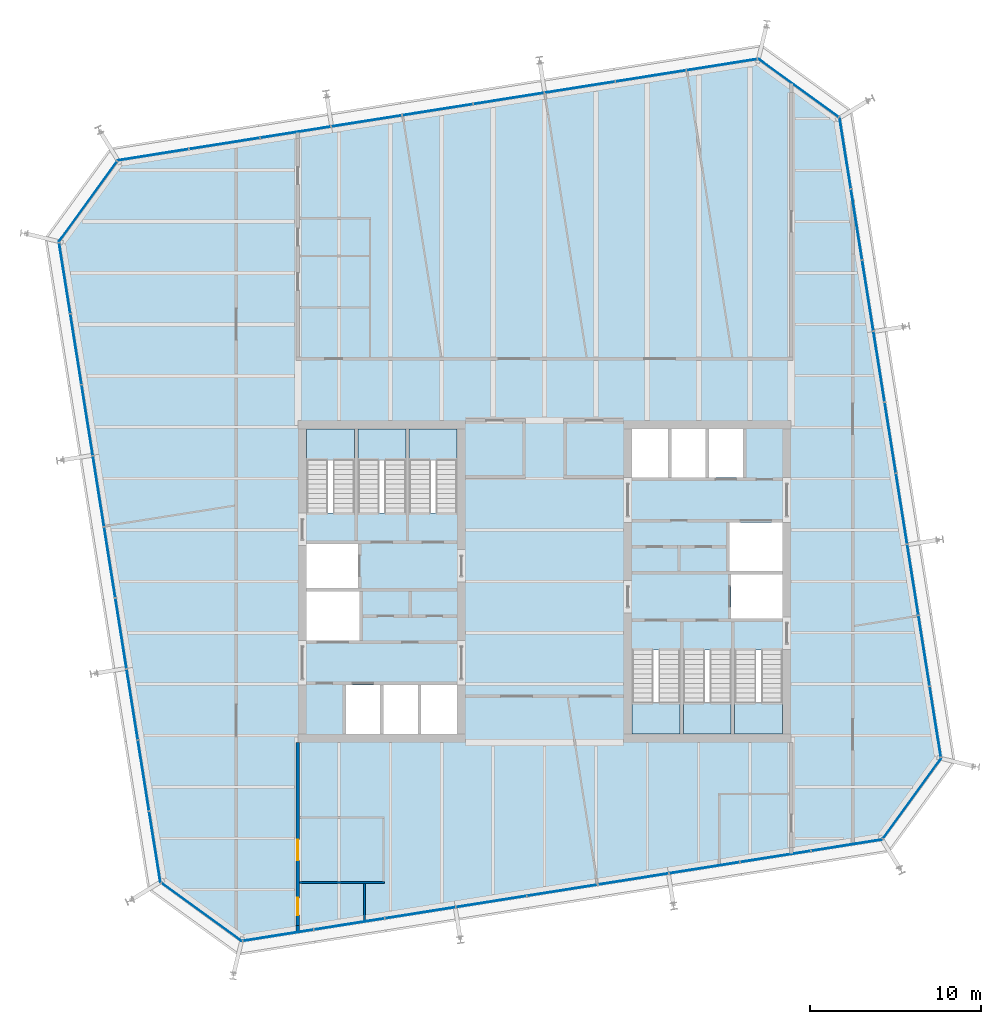
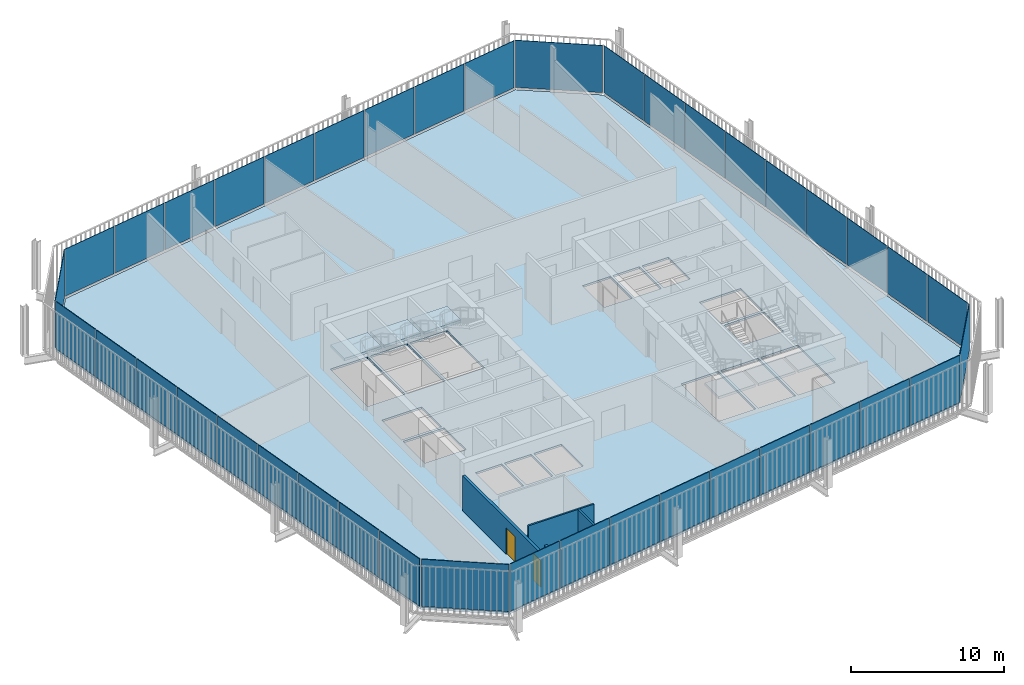
# One storey, part 15 of 20: 40 plates, 7 slabs, 4 walls, 2 doors, 2 openings, 14 elements without a shape of their own.
"""IFC4 building model written with IfcOpenShell, lengths in metres."""

from ifc_helpers import new_model, si_unit, direction, frame, frame_2d, origin, place, context, subcontext, project, spatial, polyline, rectangle, outline, extrude, material, layer, layer_set, type_object, element, fill, aggregate, save


model = new_model("IFC4")

# Units and contexts
model_context = context("Model", 3, precision=1e-05, world=origin(), true_north=direction((0.0, 1.0)))
body_context = subcontext(model_context, "Body", "Model", "MODEL_VIEW")
ifc_project = project(units=[si_unit("LENGTHUNIT", "METRE"), si_unit("AREAUNIT", "SQUARE_METRE"), si_unit("VOLUMEUNIT", "CUBIC_METRE"), si_unit("PLANEANGLEUNIT", "RADIAN"), si_unit("MASSUNIT", "GRAM", prefix="KILO")], contexts=[model_context])

# Site, building, storey
site_placement = place(None, origin())
site = spatial("IfcSite", under=ifc_project, at=site_placement, CompositionType="ELEMENT")
building_placement = place(site_placement, origin())
building = spatial("IfcBuilding", under=site, at=building_placement, Name="Millrace Tower", CompositionType="ELEMENT")
storey_placement = place(building_placement, frame((0.0, 0.0, 216.39990234375)))
storey = spatial("IfcBuildingStorey", under=building, at=storey_placement, Name="L49", CompositionType="ELEMENT", Elevation=216.39990234375)

# Curtain wall, plate
ifc_material_1 = material(Name="Aluminium and glass", Category="aluminium")
ifc_layer_1 = layer(ifc_material_1, 0.14990234375)
ifc_layer_set_1 = layer_set([ifc_layer_1], Name="Aluminium and glass")
curtain_wall_type = type_object("IfcCurtainWallType", Name="CW-1 office vision curtain wall", PredefinedType="NOTDEFINED", material=ifc_layer_set_1)
placement_1 = place(storey_placement, origin())
curtain_wall_1 = element("IfcCurtainWall", 1, at=placement_1, inside=storey, type_object=curtain_wall_type, Name="Curtain wall D-F01 L49", PredefinedType="NOTDEFINED")
ifc_material_2 = material(Name="Glass", Category="glass")
ifc_layer_2 = layer(ifc_material_2, 0.0439453125)
ifc_layer_set_2 = layer_set([ifc_layer_2], Name="Glass")
plate_type = type_object("IfcPlateType", Name="CW-1 office vision curtain wall triple-glazed vision panel", PredefinedType="CURTAIN_PANEL", material=ifc_layer_set_2)
placement_2 = place(storey_placement, frame((0.0, 0.0, 0.14013671875)))
plate_1 = element("IfcPlate", 2, at=placement_2, type_object=plate_type, Name="CW1 panel D-F01.1", PredefinedType="CURTAIN_PANEL", context=body_context, shape_type="SweptSolid", body=[
    extrude(outline(polyline([(-22.36474609375, -17.632080078125), (-17.69384765625, -21.025634765625), (-17.6826171875, -20.979248046875), (-22.3388671875, -17.596435546875), (-22.36474609375, -17.632080078125)])), origin(), (0.0, 0.0, 1.0), 3.760009765625),
])
aggregate(curtain_wall_1, [plate_1])

# Curtain wall, plates
curtain_wall_2 = element("IfcCurtainWall", 3, at=placement_1, inside=storey, type_object=curtain_wall_type, Name="Curtain wall D-F02 L49", PredefinedType="NOTDEFINED")
plate_2 = element("IfcPlate", 4, at=placement_2, type_object=plate_type, Name="CW1 panel D-F02.1", PredefinedType="CURTAIN_PANEL", context=body_context, shape_type="SweptSolid", body=[
    extrude(outline(polyline([(-17.58984375, -21.009033203125), (-13.505859375, -20.3623046875), (-13.5126953125, -20.31884765625), (-17.596923828125, -20.965576171875), (-17.58984375, -21.009033203125)])), origin(), (0.0, 0.0, 1.0), 3.760009765625),
])
plate_3 = element("IfcPlate", 5, at=placement_2, type_object=plate_type, Name="CW1 panel D-F02.2", PredefinedType="CURTAIN_PANEL", context=body_context, shape_type="SweptSolid", body=[
    extrude(outline(polyline([(-13.441650390625, -20.35205078125), (-9.357666015625, -19.705078125), (-9.364501953125, -19.66162109375), (-13.448486328125, -20.30859375), (-13.441650390625, -20.35205078125)])), origin(), (0.0, 0.0, 1.0), 3.760009765625),
])
plate_4 = element("IfcPlate", 6, at=placement_2, type_object=plate_type, Name="CW1 panel D-F02.3", PredefinedType="CURTAIN_PANEL", context=body_context, shape_type="SweptSolid", body=[
    extrude(outline(polyline([(-9.29345703125, -19.695068359375), (-5.209228515625, -19.048095703125), (-5.216064453125, -19.004638671875), (-9.30029296875, -19.651611328125), (-9.29345703125, -19.695068359375)])), origin(), (0.0, 0.0, 1.0), 3.760009765625),
])
plate_5 = element("IfcPlate", 7, at=placement_2, type_object=plate_type, Name="CW1 panel D-F02.4", PredefinedType="CURTAIN_PANEL", context=body_context, shape_type="SweptSolid", body=[
    extrude(outline(polyline([(-5.14501953125, -19.0380859375), (-1.06103515625, -18.39111328125), (-1.06787109375, -18.34765625), (-5.15185546875, -18.99462890625), (-5.14501953125, -19.0380859375)])), origin(), (0.0, 0.0, 1.0), 3.760009765625),
])
plate_6 = element("IfcPlate", 8, at=placement_2, type_object=plate_type, Name="CW1 panel D-F02.5", PredefinedType="CURTAIN_PANEL", context=body_context, shape_type="SweptSolid", body=[
    extrude(outline(polyline([(-0.996826171875, -18.380859375), (3.08740234375, -17.734130859375), (3.080322265625, -17.690673828125), (-1.003662109375, -18.33740234375), (-0.996826171875, -18.380859375)])), origin(), (0.0, 0.0, 1.0), 3.760009765625),
])
plate_7 = element("IfcPlate", 9, at=placement_2, type_object=plate_type, Name="CW1 panel D-F02.6", PredefinedType="CURTAIN_PANEL", context=body_context, shape_type="SweptSolid", body=[
    extrude(outline(polyline([(3.151611328125, -17.723876953125), (7.235595703125, -17.0771484375), (7.228759765625, -17.03369140625), (3.14453125, -17.680419921875), (3.151611328125, -17.723876953125)])), origin(), (0.0, 0.0, 1.0), 3.760009765625),
])
plate_8 = element("IfcPlate", 10, at=placement_2, type_object=plate_type, Name="CW1 panel D-F02.7", PredefinedType="CURTAIN_PANEL", context=body_context, shape_type="SweptSolid", body=[
    extrude(outline(polyline([(7.2998046875, -17.06689453125), (11.3837890625, -16.420166015625), (11.376953125, -16.376708984375), (7.29296875, -17.0234375), (7.2998046875, -17.06689453125)])), origin(), (0.0, 0.0, 1.0), 3.760009765625),
])
plate_9 = element("IfcPlate", 11, at=placement_2, type_object=plate_type, Name="CW1 panel D-F02.8", PredefinedType="CURTAIN_PANEL", context=body_context, shape_type="SweptSolid", body=[
    extrude(outline(polyline([(11.447998046875, -16.409912109375), (15.5322265625, -15.762939453125), (15.525390625, -15.719482421875), (11.441162109375, -16.366455078125), (11.447998046875, -16.409912109375)])), origin(), (0.0, 0.0, 1.0), 3.760009765625),
])
plate_10 = element("IfcPlate", 12, at=placement_2, type_object=plate_type, Name="CW1 panel D-F02.9", PredefinedType="CURTAIN_PANEL", context=body_context, shape_type="SweptSolid", body=[
    extrude(outline(polyline([(15.596435546875, -15.7529296875), (19.72021484375, -15.099853515625), (19.6953125, -15.05908203125), (15.589599609375, -15.70947265625), (15.596435546875, -15.7529296875)])), origin(), (0.0, 0.0, 1.0), 3.760009765625),
])
aggregate(curtain_wall_2, [plate_2, plate_3, plate_4, plate_5, plate_6, plate_7, plate_8, plate_9, plate_10])

# Curtain wall, plate
curtain_wall_3 = element("IfcCurtainWall", 13, at=placement_1, inside=storey, type_object=curtain_wall_type, Name="Curtain wall D-F03 L49", PredefinedType="NOTDEFINED")
plate_11 = element("IfcPlate", 14, at=placement_2, type_object=plate_type, Name="CW1 panel D-F03.1", PredefinedType="CURTAIN_PANEL", context=body_context, shape_type="SweptSolid", body=[
    extrude(outline(polyline([(19.781982421875, -15.0146484375), (23.175537109375, -10.34375), (23.129150390625, -10.332763671875), (19.746337890625, -14.98876953125), (19.781982421875, -15.0146484375)])), origin(), (0.0, 0.0, 1.0), 3.760009765625),
])
aggregate(curtain_wall_3, [plate_11])

# Curtain wall, plates
curtain_wall_4 = element("IfcCurtainWall", 15, at=placement_1, inside=storey, type_object=curtain_wall_type, Name="Curtain wall D-F04 L49", PredefinedType="NOTDEFINED")
plate_12 = element("IfcPlate", 16, at=placement_2, type_object=plate_type, Name="CW1 panel D-F04.1", PredefinedType="CURTAIN_PANEL", context=body_context, shape_type="SweptSolid", body=[
    extrude(outline(polyline([(23.1591796875, -10.239990234375), (22.51220703125, -6.15576171875), (22.46875, -6.162841796875), (23.11572265625, -10.246826171875), (23.1591796875, -10.239990234375)])), origin(), (0.0, 0.0, 1.0), 3.760009765625),
])
plate_13 = element("IfcPlate", 17, at=placement_2, type_object=plate_type, Name="CW1 panel D-F04.2", PredefinedType="CURTAIN_PANEL", context=body_context, shape_type="SweptSolid", body=[
    extrude(outline(polyline([(22.501953125, -6.091552734375), (21.855224609375, -2.007568359375), (21.811767578125, -2.014404296875), (22.45849609375, -6.0986328125), (22.501953125, -6.091552734375)])), origin(), (0.0, 0.0, 1.0), 3.760009765625),
])
plate_14 = element("IfcPlate", 18, at=placement_2, type_object=plate_type, Name="CW1 panel D-F04.3", PredefinedType="CURTAIN_PANEL", context=body_context, shape_type="SweptSolid", body=[
    extrude(outline(polyline([(21.844970703125, -1.943359375), (21.1982421875, 2.140625), (21.15478515625, 2.1337890625), (21.801513671875, -1.9501953125), (21.844970703125, -1.943359375)])), origin(), (0.0, 0.0, 1.0), 3.760009765625),
])
plate_15 = element("IfcPlate", 19, at=placement_2, type_object=plate_type, Name="CW1 panel D-F04.4", PredefinedType="CURTAIN_PANEL", context=body_context, shape_type="SweptSolid", body=[
    extrude(outline(polyline([(21.18798828125, 2.204833984375), (20.541259765625, 6.2890625), (20.497802734375, 6.2822265625), (21.14453125, 2.197998046875), (21.18798828125, 2.204833984375)])), origin(), (0.0, 0.0, 1.0), 3.760009765625),
])
plate_16 = element("IfcPlate", 20, at=placement_2, type_object=plate_type, Name="CW1 panel D-F04.5", PredefinedType="CURTAIN_PANEL", context=body_context, shape_type="SweptSolid", body=[
    extrude(outline(polyline([(20.531005859375, 6.353271484375), (19.884033203125, 10.437255859375), (19.840576171875, 10.430419921875), (20.487548828125, 6.346435546875), (20.531005859375, 6.353271484375)])), origin(), (0.0, 0.0, 1.0), 3.760009765625),
])
plate_17 = element("IfcPlate", 21, at=placement_2, type_object=plate_type, Name="CW1 panel D-F04.6", PredefinedType="CURTAIN_PANEL", context=body_context, shape_type="SweptSolid", body=[
    extrude(outline(polyline([(19.8740234375, 10.50146484375), (19.22705078125, 14.585693359375), (19.18359375, 14.57861328125), (19.83056640625, 10.49462890625), (19.8740234375, 10.50146484375)])), origin(), (0.0, 0.0, 1.0), 3.760009765625),
])
plate_18 = element("IfcPlate", 22, at=placement_2, type_object=plate_type, Name="CW1 panel D-F04.7", PredefinedType="CURTAIN_PANEL", context=body_context, shape_type="SweptSolid", body=[
    extrude(outline(polyline([(19.217041015625, 14.64990234375), (18.570068359375, 18.73388671875), (18.526611328125, 18.72705078125), (19.173583984375, 14.642822265625), (19.217041015625, 14.64990234375)])), origin(), (0.0, 0.0, 1.0), 3.760009765625),
])
plate_19 = element("IfcPlate", 23, at=placement_2, type_object=plate_type, Name="CW1 panel D-F04.8", PredefinedType="CURTAIN_PANEL", context=body_context, shape_type="SweptSolid", body=[
    extrude(outline(polyline([(18.559814453125, 18.798095703125), (17.9130859375, 22.882080078125), (17.86962890625, 22.875244140625), (18.516357421875, 18.791259765625), (18.559814453125, 18.798095703125)])), origin(), (0.0, 0.0, 1.0), 3.760009765625),
])
plate_20 = element("IfcPlate", 24, at=placement_2, type_object=plate_type, Name="CW1 panel D-F04.9", PredefinedType="CURTAIN_PANEL", context=body_context, shape_type="SweptSolid", body=[
    extrude(outline(polyline([(17.90283203125, 22.9462890625), (17.249755859375, 27.070068359375), (17.209228515625, 27.045166015625), (17.859375, 22.939453125), (17.90283203125, 22.9462890625)])), origin(), (0.0, 0.0, 1.0), 3.760009765625),
])
aggregate(curtain_wall_4, [plate_12, plate_13, plate_14, plate_15, plate_16, plate_17, plate_18, plate_19, plate_20])

# Curtain wall, plate
curtain_wall_5 = element("IfcCurtainWall", 25, at=placement_1, inside=storey, type_object=curtain_wall_type, Name="Curtain wall D-F05 L49", PredefinedType="NOTDEFINED")
plate_21 = element("IfcPlate", 26, at=placement_2, type_object=plate_type, Name="CW1 panel D-F05.1", PredefinedType="CURTAIN_PANEL", context=body_context, shape_type="SweptSolid", body=[
    extrude(outline(polyline([(17.16455078125, 27.132080078125), (12.493896484375, 30.525634765625), (12.482666015625, 30.479248046875), (17.138671875, 27.096435546875), (17.16455078125, 27.132080078125)])), origin(), (0.0, 0.0, 1.0), 3.760009765625),
])
aggregate(curtain_wall_5, [plate_21])

# Curtain wall, plates
curtain_wall_6 = element("IfcCurtainWall", 27, at=placement_1, inside=storey, type_object=curtain_wall_type, Name="Curtain wall D-F06 L49", PredefinedType="NOTDEFINED")
plate_22 = element("IfcPlate", 28, at=placement_2, type_object=plate_type, Name="CW1 panel D-F06.1", PredefinedType="CURTAIN_PANEL", context=body_context, shape_type="SweptSolid", body=[
    extrude(outline(polyline([(12.389892578125, 30.509033203125), (8.305908203125, 29.8623046875), (8.312744140625, 29.81884765625), (12.396728515625, 30.465576171875), (12.389892578125, 30.509033203125)])), origin(), (0.0, 0.0, 1.0), 3.760009765625),
])
plate_23 = element("IfcPlate", 29, at=placement_2, type_object=plate_type, Name="CW1 panel D-F06.2", PredefinedType="CURTAIN_PANEL", context=body_context, shape_type="SweptSolid", body=[
    extrude(outline(polyline([(8.24169921875, 29.85205078125), (4.157470703125, 29.205078125), (4.16455078125, 29.16162109375), (8.24853515625, 29.80859375), (8.24169921875, 29.85205078125)])), origin(), (0.0, 0.0, 1.0), 3.760009765625),
])
plate_24 = element("IfcPlate", 30, at=placement_2, type_object=plate_type, Name="CW1 panel D-F06.3", PredefinedType="CURTAIN_PANEL", context=body_context, shape_type="SweptSolid", body=[
    extrude(outline(polyline([(4.09326171875, 29.195068359375), (0.00927734375, 28.548095703125), (0.01611328125, 28.504638671875), (4.100341796875, 29.151611328125), (4.09326171875, 29.195068359375)])), origin(), (0.0, 0.0, 1.0), 3.760009765625),
])
plate_25 = element("IfcPlate", 31, at=placement_2, type_object=plate_type, Name="CW1 panel D-F06.4", PredefinedType="CURTAIN_PANEL", context=body_context, shape_type="SweptSolid", body=[
    extrude(outline(polyline([(-0.054931640625, 28.5380859375), (-4.138916015625, 27.89111328125), (-4.132080078125, 27.84765625), (-0.048095703125, 28.49462890625), (-0.054931640625, 28.5380859375)])), origin(), (0.0, 0.0, 1.0), 3.760009765625),
])
plate_26 = element("IfcPlate", 32, at=placement_2, type_object=plate_type, Name="CW1 panel D-F06.5", PredefinedType="CURTAIN_PANEL", context=body_context, shape_type="SweptSolid", body=[
    extrude(outline(polyline([(-4.203125, 27.880859375), (-8.287353515625, 27.234130859375), (-8.280517578125, 27.190673828125), (-4.1962890625, 27.83740234375), (-4.203125, 27.880859375)])), origin(), (0.0, 0.0, 1.0), 3.760009765625),
])
plate_27 = element("IfcPlate", 33, at=placement_2, type_object=plate_type, Name="CW1 panel D-F06.6", PredefinedType="CURTAIN_PANEL", context=body_context, shape_type="SweptSolid", body=[
    extrude(outline(polyline([(-8.3515625, 27.223876953125), (-12.435546875, 26.5771484375), (-12.4287109375, 26.53369140625), (-8.3447265625, 27.180419921875), (-8.3515625, 27.223876953125)])), origin(), (0.0, 0.0, 1.0), 3.760009765625),
])
plate_28 = element("IfcPlate", 34, at=placement_2, type_object=plate_type, Name="CW1 panel D-F06.7", PredefinedType="CURTAIN_PANEL", context=body_context, shape_type="SweptSolid", body=[
    extrude(outline(polyline([(-12.499755859375, 26.56689453125), (-16.583984375, 25.920166015625), (-16.576904296875, 25.876708984375), (-12.492919921875, 26.5234375), (-12.499755859375, 26.56689453125)])), origin(), (0.0, 0.0, 1.0), 3.760009765625),
])
plate_29 = element("IfcPlate", 35, at=placement_2, type_object=plate_type, Name="CW1 panel D-F06.8", PredefinedType="CURTAIN_PANEL", context=body_context, shape_type="SweptSolid", body=[
    extrude(outline(polyline([(-16.648193359375, 25.909912109375), (-20.732177734375, 25.262939453125), (-20.725341796875, 25.219482421875), (-16.64111328125, 25.866455078125), (-16.648193359375, 25.909912109375)])), origin(), (0.0, 0.0, 1.0), 3.760009765625),
])
plate_30 = element("IfcPlate", 36, at=placement_2, type_object=plate_type, Name="CW1 panel D-F06.9", PredefinedType="CURTAIN_PANEL", context=body_context, shape_type="SweptSolid", body=[
    extrude(outline(polyline([(-20.79638671875, 25.2529296875), (-24.920166015625, 24.599853515625), (-24.895263671875, 24.55908203125), (-20.78955078125, 25.20947265625), (-20.79638671875, 25.2529296875)])), origin(), (0.0, 0.0, 1.0), 3.760009765625),
])
aggregate(curtain_wall_6, [plate_22, plate_23, plate_24, plate_25, plate_26, plate_27, plate_28, plate_29, plate_30])

# Curtain wall, plate
curtain_wall_7 = element("IfcCurtainWall", 37, at=placement_1, inside=storey, type_object=curtain_wall_type, Name="Curtain wall D-F07 L49", PredefinedType="NOTDEFINED")
plate_31 = element("IfcPlate", 38, at=placement_2, type_object=plate_type, Name="CW1 panel D-F07.1", PredefinedType="CURTAIN_PANEL", context=body_context, shape_type="SweptSolid", body=[
    extrude(outline(polyline([(-24.98193359375, 24.5146484375), (-28.37548828125, 19.84375), (-28.329345703125, 19.832763671875), (-24.9462890625, 24.48876953125), (-24.98193359375, 24.5146484375)])), origin(), (0.0, 0.0, 1.0), 3.760009765625),
])
aggregate(curtain_wall_7, [plate_31])

# Curtain wall, plates
curtain_wall_8 = element("IfcCurtainWall", 39, at=placement_1, inside=storey, type_object=curtain_wall_type, Name="Curtain wall D-F08 L49", PredefinedType="NOTDEFINED")
plate_32 = element("IfcPlate", 40, at=placement_2, type_object=plate_type, Name="CW1 panel D-F08.1", PredefinedType="CURTAIN_PANEL", context=body_context, shape_type="SweptSolid", body=[
    extrude(outline(polyline([(-28.359130859375, 19.739990234375), (-27.712158203125, 15.65576171875), (-27.668701171875, 15.662841796875), (-28.315673828125, 19.746826171875), (-28.359130859375, 19.739990234375)])), origin(), (0.0, 0.0, 1.0), 3.760009765625),
])
plate_33 = element("IfcPlate", 41, at=placement_2, type_object=plate_type, Name="CW1 panel D-F08.2", PredefinedType="CURTAIN_PANEL", context=body_context, shape_type="SweptSolid", body=[
    extrude(outline(polyline([(-27.7021484375, 15.591552734375), (-27.05517578125, 11.507568359375), (-27.01171875, 11.514404296875), (-27.65869140625, 15.5986328125), (-27.7021484375, 15.591552734375)])), origin(), (0.0, 0.0, 1.0), 3.760009765625),
])
plate_34 = element("IfcPlate", 42, at=placement_2, type_object=plate_type, Name="CW1 panel D-F08.3", PredefinedType="CURTAIN_PANEL", context=body_context, shape_type="SweptSolid", body=[
    extrude(outline(polyline([(-27.044921875, 11.443359375), (-26.398193359375, 7.359375), (-26.354736328125, 7.3662109375), (-27.00146484375, 11.4501953125), (-27.044921875, 11.443359375)])), origin(), (0.0, 0.0, 1.0), 3.760009765625),
])
plate_35 = element("IfcPlate", 43, at=placement_2, type_object=plate_type, Name="CW1 panel D-F08.4", PredefinedType="CURTAIN_PANEL", context=body_context, shape_type="SweptSolid", body=[
    extrude(outline(polyline([(-26.387939453125, 7.295166015625), (-25.7412109375, 3.2109375), (-25.69775390625, 3.2177734375), (-26.344482421875, 7.302001953125), (-26.387939453125, 7.295166015625)])), origin(), (0.0, 0.0, 1.0), 3.760009765625),
])
plate_36 = element("IfcPlate", 44, at=placement_2, type_object=plate_type, Name="CW1 panel D-F08.5", PredefinedType="CURTAIN_PANEL", context=body_context, shape_type="SweptSolid", body=[
    extrude(outline(polyline([(-25.73095703125, 3.146728515625), (-25.084228515625, -0.937255859375), (-25.040771484375, -0.930419921875), (-25.6875, 3.153564453125), (-25.73095703125, 3.146728515625)])), origin(), (0.0, 0.0, 1.0), 3.760009765625),
])
plate_37 = element("IfcPlate", 45, at=placement_2, type_object=plate_type, Name="CW1 panel D-F08.6", PredefinedType="CURTAIN_PANEL", context=body_context, shape_type="SweptSolid", body=[
    extrude(outline(polyline([(-25.073974609375, -1.00146484375), (-24.427001953125, -5.085693359375), (-24.383544921875, -5.07861328125), (-25.030517578125, -0.99462890625), (-25.073974609375, -1.00146484375)])), origin(), (0.0, 0.0, 1.0), 3.760009765625),
])
plate_38 = element("IfcPlate", 46, at=placement_2, type_object=plate_type, Name="CW1 panel D-F08.7", PredefinedType="CURTAIN_PANEL", context=body_context, shape_type="SweptSolid", body=[
    extrude(outline(polyline([(-24.4169921875, -5.14990234375), (-23.77001953125, -9.23388671875), (-23.7265625, -9.22705078125), (-24.37353515625, -5.142822265625), (-24.4169921875, -5.14990234375)])), origin(), (0.0, 0.0, 1.0), 3.760009765625),
])
plate_39 = element("IfcPlate", 47, at=placement_2, type_object=plate_type, Name="CW1 panel D-F08.8", PredefinedType="CURTAIN_PANEL", context=body_context, shape_type="SweptSolid", body=[
    extrude(outline(polyline([(-23.760009765625, -9.298095703125), (-23.113037109375, -13.382080078125), (-23.069580078125, -13.375244140625), (-23.716552734375, -9.291259765625), (-23.760009765625, -9.298095703125)])), origin(), (0.0, 0.0, 1.0), 3.760009765625),
])
plate_40 = element("IfcPlate", 48, at=placement_2, type_object=plate_type, Name="CW1 panel D-F08.9", PredefinedType="CURTAIN_PANEL", context=body_context, shape_type="SweptSolid", body=[
    extrude(outline(polyline([(-23.102783203125, -13.4462890625), (-22.44970703125, -17.570068359375), (-22.4091796875, -17.545166015625), (-23.059326171875, -13.439453125), (-23.102783203125, -13.4462890625)])), origin(), (0.0, 0.0, 1.0), 3.760009765625),
])
aggregate(curtain_wall_8, [plate_32, plate_33, plate_34, plate_35, plate_36, plate_37, plate_38, plate_39, plate_40])

# Slab
ifc_material_3 = material(Name="Concrete C35 on steel deck", Category="concrete")
ifc_layer_3 = layer(ifc_material_3, 0.159912109375)
ifc_layer_set_3 = layer_set([ifc_layer_3], Name="Concrete C35 on steel deck")
slab_type_1 = type_object("IfcSlabType", Name="Composite floor slab 160 mm", PredefinedType="FLOOR", material=ifc_layer_set_3)
slab_1_placement = place(storey_placement, frame((0.0, 0.0, -0.159912109375)))
element("IfcSlab", 49, at=slab_1_placement, inside=storey, type_object=slab_type_1, Name="SL-D-L49-S1", PredefinedType="FLOOR", context=body_context, shape_type="SweptSolid", body=[
    extrude(outline(polyline([(-22.360107421875, -17.515380859375), (-17.66943359375, -20.92333984375), (19.665283203125, -15.01025390625), (23.073486328125, -10.3193359375), (17.16015625, 27.015380859375), (12.46923828125, 30.42333984375), (-24.865234375, 24.51025390625), (-28.2734375, 19.8193359375), (-22.360107421875, -17.515380859375)]), holes=[polyline([(-11.60009765625, -8.89990234375), (-9.60009765625, -8.89990234375), (-9.60009765625, -6.050048828125), (-11.60009765625, -6.050048828125), (-11.60009765625, -8.89990234375)]), polyline([(-9.39990234375, -8.89990234375), (-7.39990234375, -8.89990234375), (-7.39990234375, -6.050048828125), (-9.39990234375, -6.050048828125), (-9.39990234375, -8.89990234375)]), polyline([(-7.199951171875, -8.89990234375), (-5.10009765625, -8.89990234375), (-5.10009765625, -6.050048828125), (-7.199951171875, -6.050048828125), (-7.199951171875, -8.89990234375)]), polyline([(-13.89990234375, -3.449951171875), (-10.800048828125, -3.449951171875), (-10.800048828125, -0.60009765625), (-13.89990234375, -0.60009765625), (-13.89990234375, -3.449951171875)]), polyline([(-13.89990234375, -0.39990234375), (-10.89990234375, -0.39990234375), (-10.89990234375, 2.179931640625), (-13.89990234375, 2.179931640625), (-13.89990234375, -0.39990234375)]), polyline([(-13.89990234375, 4.0), (-11.10009765625, 4.0), (-11.10009765625, 8.89990234375), (-13.89990234375, 8.89990234375), (-13.89990234375, 4.0)]), polyline([(-10.89990234375, 4.0), (-8.10009765625, 4.0), (-8.10009765625, 8.89990234375), (-10.89990234375, 8.89990234375), (-10.89990234375, 4.0)]), polyline([(-7.89990234375, 4.0), (-5.10009765625, 4.0), (-5.10009765625, 8.89990234375), (-7.89990234375, 8.89990234375), (-7.89990234375, 4.0)]), polyline([(9.60009765625, 6.050048828125), (11.60009765625, 6.050048828125), (11.60009765625, 8.89990234375), (9.60009765625, 8.89990234375), (9.60009765625, 6.050048828125)]), polyline([(7.39990234375, 6.050048828125), (9.39990234375, 6.050048828125), (9.39990234375, 8.89990234375), (7.39990234375, 8.89990234375), (7.39990234375, 6.050048828125)]), polyline([(5.10009765625, 6.050048828125), (7.199951171875, 6.050048828125), (7.199951171875, 8.89990234375), (5.10009765625, 8.89990234375), (5.10009765625, 6.050048828125)]), polyline([(10.800048828125, 0.60009765625), (13.89990234375, 0.60009765625), (13.89990234375, 3.449951171875), (10.800048828125, 3.449951171875), (10.800048828125, 0.60009765625)]), polyline([(10.89990234375, -2.179931640625), (13.89990234375, -2.179931640625), (13.89990234375, 0.39990234375), (10.89990234375, 0.39990234375), (10.89990234375, -2.179931640625)]), polyline([(11.10009765625, -8.89990234375), (13.89990234375, -8.89990234375), (13.89990234375, -4.0), (11.10009765625, -4.0), (11.10009765625, -8.89990234375)]), polyline([(8.10009765625, -8.89990234375), (10.89990234375, -8.89990234375), (10.89990234375, -4.0), (8.10009765625, -4.0), (8.10009765625, -8.89990234375)]), polyline([(5.10009765625, -8.89990234375), (7.89990234375, -8.89990234375), (7.89990234375, -4.0), (5.10009765625, -4.0), (5.10009765625, -8.89990234375)])]), origin(), (0.0, 0.0, 1.0), 0.159912109375),
])

# Stair, slab
ifc_material_4 = material(Name="Concrete C35", Category="concrete")
stair_type = type_object("IfcStairType", Name="Exit stair", PredefinedType="HALF_TURN_STAIR", material=ifc_material_4)
stair_1 = element("IfcStair", 50, at=placement_1, inside=storey, type_object=stair_type, Name="Stair 1 W L49", PredefinedType="HALF_TURN_STAIR")
ifc_material_5 = material(Name="Concrete C40", Category="concrete")
ifc_layer_4 = layer(ifc_material_5, 0.199951171875)
ifc_layer_set_4 = layer_set([ifc_layer_4], Name="Concrete C40")
slab_type_2 = type_object("IfcSlabType", Name="Stair landing", PredefinedType="LANDING", material=ifc_layer_set_4)
placement_3 = place(storey_placement, frame((0.0, 0.0, 1.75)))
slab_2 = element("IfcSlab", 51, at=placement_3, type_object=slab_type_2, Name="ST12 landing 1", PredefinedType="LANDING", context=body_context, shape_type="SweptSolid", body=[
    extrude(outline(polyline([(-13.89990234375, 7.080078125), (-11.10009765625, 7.080078125), (-11.10009765625, 8.89990234375), (-13.89990234375, 8.89990234375), (-13.89990234375, 7.080078125)])), origin(), (0.0, 0.0, 1.0), 0.2001953125),
])
aggregate(stair_1, [slab_2])

stair_2 = element("IfcStair", 52, at=placement_1, inside=storey, type_object=stair_type, Name="Stair 2 W L49", PredefinedType="HALF_TURN_STAIR")
slab_3 = element("IfcSlab", 53, at=placement_3, type_object=slab_type_2, Name="ST12 landing 1", PredefinedType="LANDING", context=body_context, shape_type="SweptSolid", body=[
    extrude(outline(polyline([(-10.89990234375, 7.080078125), (-8.10009765625, 7.080078125), (-8.10009765625, 8.89990234375), (-10.89990234375, 8.89990234375), (-10.89990234375, 7.080078125)])), origin(), (0.0, 0.0, 1.0), 0.2001953125),
])
aggregate(stair_2, [slab_3])

stair_3 = element("IfcStair", 54, at=placement_1, inside=storey, type_object=stair_type, Name="Stair 3 W L49", PredefinedType="HALF_TURN_STAIR")
slab_4 = element("IfcSlab", 55, at=placement_3, type_object=slab_type_2, Name="ST12 landing 1", PredefinedType="LANDING", context=body_context, shape_type="SweptSolid", body=[
    extrude(outline(polyline([(-7.89990234375, 7.080078125), (-5.10009765625, 7.080078125), (-5.10009765625, 8.89990234375), (-7.89990234375, 8.89990234375), (-7.89990234375, 7.080078125)])), origin(), (0.0, 0.0, 1.0), 0.2001953125),
])
aggregate(stair_3, [slab_4])

stair_4 = element("IfcStair", 56, at=placement_1, inside=storey, type_object=stair_type, Name="Stair 1 E L49", PredefinedType="HALF_TURN_STAIR")
slab_5 = element("IfcSlab", 57, at=placement_3, type_object=slab_type_2, Name="ST12 landing 1", PredefinedType="LANDING", context=body_context, shape_type="SweptSolid", body=[
    extrude(outline(polyline([(11.10009765625, -8.89990234375), (13.89990234375, -8.89990234375), (13.89990234375, -7.080078125), (11.10009765625, -7.080078125), (11.10009765625, -8.89990234375)])), origin(), (0.0, 0.0, 1.0), 0.2001953125),
])
aggregate(stair_4, [slab_5])

stair_5 = element("IfcStair", 58, at=placement_1, inside=storey, type_object=stair_type, Name="Stair 2 E L49", PredefinedType="HALF_TURN_STAIR")
slab_6 = element("IfcSlab", 59, at=placement_3, type_object=slab_type_2, Name="ST12 landing 1", PredefinedType="LANDING", context=body_context, shape_type="SweptSolid", body=[
    extrude(outline(polyline([(8.10009765625, -8.89990234375), (10.89990234375, -8.89990234375), (10.89990234375, -7.080078125), (8.10009765625, -7.080078125), (8.10009765625, -8.89990234375)])), origin(), (0.0, 0.0, 1.0), 0.2001953125),
])
aggregate(stair_5, [slab_6])

stair_6 = element("IfcStair", 60, at=placement_1, inside=storey, type_object=stair_type, Name="Stair 3 E L49", PredefinedType="HALF_TURN_STAIR")
slab_7 = element("IfcSlab", 61, at=placement_3, type_object=slab_type_2, Name="ST12 landing 1", PredefinedType="LANDING", context=body_context, shape_type="SweptSolid", body=[
    extrude(outline(polyline([(5.10009765625, -8.89990234375), (7.89990234375, -8.89990234375), (7.89990234375, -7.080078125), (5.10009765625, -7.080078125), (5.10009765625, -8.89990234375)])), origin(), (0.0, 0.0, 1.0), 0.2001953125),
])
aggregate(stair_6, [slab_7])

# Wall
ifc_material_6 = material(Name="Masonry partition, fire-rated", Category="masonry")
ifc_layer_5 = layer(ifc_material_6, 0.199951171875)
ifc_layer_set_5 = layer_set([ifc_layer_5], Name="Masonry partition, fire-rated")
wall_type_1 = type_object("IfcWallType", Name="Corridor wall 200", PredefinedType="PARTITIONING", material=ifc_layer_set_5)
wall_1_placement = place(storey_placement, frame((-14.39990234375, -20.43603515625, 0.0), z_axis=(0.0, 0.0, 1.0), x_axis=(0.0, 1.0, 0.0)))
element("IfcWall", 62, at=wall_1_placement, inside=storey, type_object=wall_type_1, Name="Corridor wall L49", PredefinedType="PARTITIONING", context=body_context, shape_type="SweptSolid", body=[
    extrude(rectangle(XDim=0.349609375, YDim=0.199951171875, at=frame_2d((0.1748046875, 0.0))), origin(), (0.0, 0.0, 1.0), 3.739990234375),
])

# Wall, openings, doors
wall_2_placement = place(storey_placement, frame((-14.39990234375, -20.08642578125, 0.0), z_axis=(0.0, 0.0, 1.0), x_axis=(0.0, 1.0, 0.0)))
wall_2 = element("IfcWall", 63, at=wall_2_placement, inside=storey, type_object=wall_type_1, Name="Corridor wall L49", PredefinedType="PARTITIONING", context=body_context, shape_type="SweptSolid", body=[
    extrude(rectangle(XDim=10.6865234375, YDim=0.199951171875, at=frame_2d((5.34326171875, 0.0))), origin(), (0.0, 0.0, 1.0), 2.81298828125),
])
opening_1_placement = place(wall_2_placement, frame((0.6015625, 0.0, 0.0)))
opening_1 = element("IfcOpeningElement", 64, at=opening_1_placement, cuts=wall_2, Name="Opening 49-P015", PredefinedType="OPENING", context=body_context, shape_type="SweptSolid", body=[
    extrude(rectangle(XDim=1.0, YDim=2.10009765625, at=frame_2d((0.5, 1.050048828125))), frame((0.0, 0.10986328125, 0.0), z_axis=(0.0, -1.0, 0.0), x_axis=(1.0, 0.0, 0.0)), (0.0, 0.0, 1.0), 0.219970703125),
])
opening_2_placement = place(wall_2_placement, frame((3.801513671875, 0.0, 0.0)))
opening_2 = element("IfcOpeningElement", 65, at=opening_2_placement, cuts=wall_2, Name="Opening 49-P016", PredefinedType="OPENING", context=body_context, shape_type="SweptSolid", body=[
    extrude(rectangle(XDim=1.199951171875, YDim=2.10009765625, at=frame_2d((0.60009765625, 1.050048828125))), frame((0.0, 0.10986328125, 0.0), z_axis=(0.0, -1.0, 0.0), x_axis=(1.0, 0.0, 0.0)), (0.0, 0.0, 1.0), 0.219970703125),
])
ifc_material_7 = material(Name="Steel door set, fire-rated", Category="steel")
door_type_1 = type_object("IfcDoorType", Name="Corridor door 1000 x 2100", OperationType="SINGLE_SWING_LEFT", PredefinedType="DOOR", material=ifc_material_7)
door_1_placement = place(opening_1_placement, frame((1.0, 0.0, 0.0), z_axis=(0.0, 0.0, 1.0), x_axis=(-1.0, 0.0, 0.0)))
door_1 = element("IfcDoor", 66, at=door_1_placement, inside=storey, type_object=door_type_1, Name="Door 49-P015", OperationType="SINGLE_SWING_RIGHT", OverallHeight=2.10009765625, OverallWidth=1.0, PredefinedType="DOOR", context=body_context, shape_type="SweptSolid", body=[
    extrude(rectangle(XDim=1.0, YDim=2.10009765625, at=frame_2d((0.5, 1.050048828125))), frame((0.0, 0.02490234375, 0.0), z_axis=(0.0, -1.0, 0.0), x_axis=(1.0, 0.0, 0.0)), (0.0, 0.0, 1.0), 0.050048828125),
])
fill(opening_1, door_1)
ifc_material_8 = material(Name="Steel door set, fire-rated", Category="steel")
door_type_2 = type_object("IfcDoorType", Name="Corridor door 1200 x 2100", OperationType="SINGLE_SWING_LEFT", PredefinedType="DOOR", material=ifc_material_8)
door_2_placement = place(opening_2_placement, frame((1.199951171875, 0.0, 0.0), z_axis=(0.0, 0.0, 1.0), x_axis=(-1.0, 0.0, 0.0)))
door_2 = element("IfcDoor", 67, at=door_2_placement, inside=storey, type_object=door_type_2, Name="Door 49-P016", OperationType="SINGLE_SWING_RIGHT", OverallHeight=2.10009765625, OverallWidth=1.199951171875, PredefinedType="DOOR", context=body_context, shape_type="SweptSolid", body=[
    extrude(rectangle(XDim=1.199951171875, YDim=2.10009765625, at=frame_2d((0.60009765625, 1.050048828125))), frame((0.0, 0.02490234375, 0.0), z_axis=(0.0, -1.0, 0.0), x_axis=(1.0, 0.0, 0.0)), (0.0, 0.0, 1.0), 0.050048828125),
])
fill(opening_2, door_2)

# Walls
ifc_material_9 = material(Name="Gypsum board partition")
ifc_layer_6 = layer(ifc_material_9, 0.1201171875)
ifc_layer_set_6 = layer_set([ifc_layer_6], Name="Gypsum board partition")
wall_type_2 = type_object("IfcWallType", Name="Partition wall 120", PredefinedType="PARTITIONING", material=ifc_layer_set_6)
wall_3_placement = place(storey_placement, frame((-14.300048828125, -17.5849609375, 0.0), z_axis=(0.0, 0.0, 1.0), x_axis=(1.0, 0.0, 0.0)))
element("IfcWall", 68, at=wall_3_placement, inside=storey, type_object=wall_type_2, Name="Partition wall L49", PredefinedType="PARTITIONING", context=body_context, shape_type="SweptSolid", body=[
    extrude(rectangle(XDim=4.9599609375, YDim=0.1201171875, at=frame_2d((2.47998046875, 0.0))), origin(), (0.0, 0.0, 1.0), 3.739990234375),
])
wall_4_placement = place(storey_placement, frame((-10.5, -19.818359375, 0.0), z_axis=(0.0, 0.0, 1.0), x_axis=(0.0, 1.0, 0.0)))
element("IfcWall", 69, at=wall_4_placement, inside=storey, type_object=wall_type_2, Name="Partition wall L49", PredefinedType="PARTITIONING", context=body_context, shape_type="SweptSolid", body=[
    extrude(rectangle(XDim=2.17333984375, YDim=0.1201171875, at=frame_2d((1.086669921875, 0.0))), origin(), (0.0, 0.0, 1.0), 3.739990234375),
])

save(model, "model.ifc")
